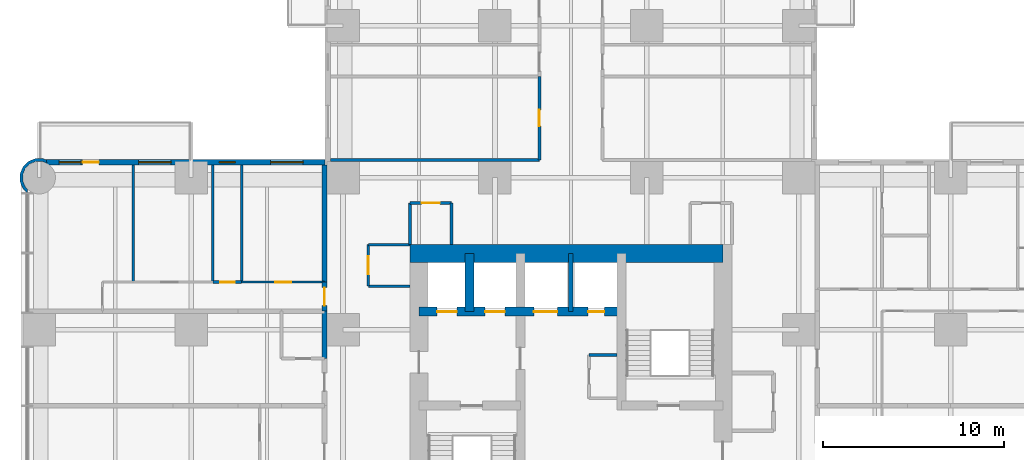
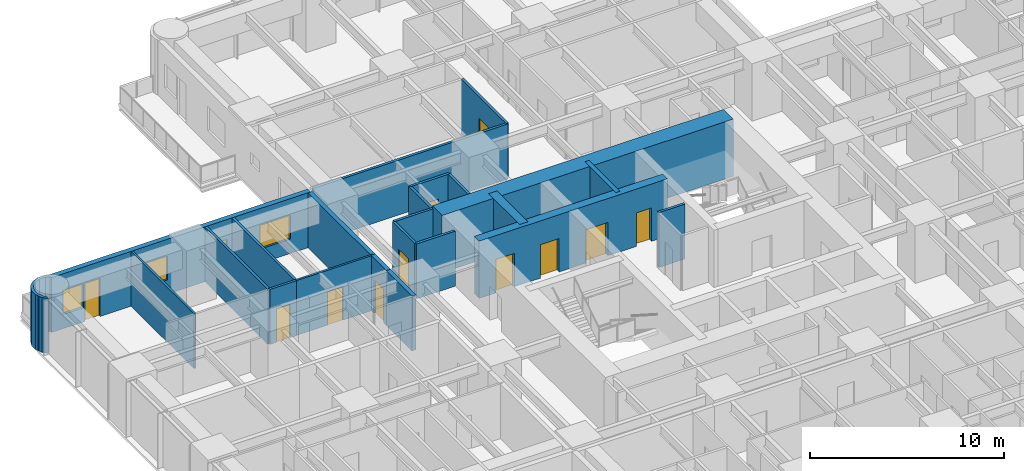
# One storey, part 12 of 17: 23 walls, 11 doors, 4 windows, 15 openings.
"""IFC4 building model written with IfcOpenShell, lengths in metres."""

from ifc_helpers import new_model, si_unit, direction, frame, frame_2d, origin, place, context, subcontext, project, spatial, polyline, rectangle, outline, extrude, material, layer, layer_set, type_object, element, fill, save


model = new_model("IFC4")

# Units and contexts
model_context = context("Model", 3, precision=1e-05, world=origin(), true_north=direction((0.0, 1.0)))
body_context = subcontext(model_context, "Body", "Model", "MODEL_VIEW")
ifc_project = project(units=[si_unit("LENGTHUNIT", "METRE"), si_unit("AREAUNIT", "SQUARE_METRE"), si_unit("VOLUMEUNIT", "CUBIC_METRE"), si_unit("PLANEANGLEUNIT", "RADIAN"), si_unit("MASSUNIT", "GRAM", prefix="KILO")], contexts=[model_context])

# Site, building, storey
site_placement = place(None, origin())
site = spatial("IfcSite", under=ifc_project, at=site_placement, CompositionType="ELEMENT")
building_placement = place(site_placement, origin())
building = spatial("IfcBuilding", under=site, at=building_placement, Name="Torre Alcanfor", CompositionType="ELEMENT")
storey_placement = place(building_placement, frame((0.0, 0.0, 38.10009765625)))
storey = spatial("IfcBuildingStorey", under=building, at=storey_placement, Name="L08", CompositionType="ELEMENT", Elevation=38.10009765625)

# Wall
ifc_material_1 = material(Name="Concrete block masonry, hollow blocks NMX-C-404 9 MPa", Category="masonry")
ifc_layer_1 = layer(ifc_material_1, 0.25)
ifc_layer_set_1 = layer_set([ifc_layer_1], Name="Apartment entrance wall 250 EI 60")
wall_type_1 = type_object("IfcWallType", Name="Apartment entrance wall 250 EI 60", PredefinedType="PARTITIONING", material=ifc_layer_set_1)
wall_1_placement = place(storey_placement, frame((15.77490234375, 32.0, 0.0), z_axis=(0.0, 0.0, 1.0), x_axis=(0.0, 1.0, 0.0)))
element("IfcWall", 1, at=wall_1_placement, inside=storey, type_object=wall_type_1, Name="Partition L08-CORR / L08-W2A-BATH", PredefinedType="PARTITIONING", context=body_context, shape_type="SweptSolid", body=[
    extrude(rectangle(XDim=2.62890625, YDim=0.25, at=frame_2d((1.314453125, 0.0))), origin(), (0.0, 0.0, 1.0), 3.449951171875),
])

# Wall, opening, door
wall_2_placement = place(storey_placement, frame((15.77490234375, 34.62890625, 0.0), z_axis=(0.0, 0.0, 1.0), x_axis=(0.0, 1.0, 0.0)))
wall_2 = element("IfcWall", 2, at=wall_2_placement, inside=storey, type_object=wall_type_1, Name="Partition L08-CORR / L08-W2B-HALL", PredefinedType="PARTITIONING", context=body_context, shape_type="SweptSolid", body=[
    extrude(rectangle(XDim=1.60009765625, YDim=0.25, at=frame_2d((0.800048828125, 0.0))), origin(), (0.0, 0.0, 1.0), 3.449951171875),
])
opening_1_placement = place(wall_2_placement, frame((0.300048828125, 0.0, 0.0)))
opening_1 = element("IfcOpeningElement", 3, at=opening_1_placement, cuts=wall_2, Name="Opening D-A1", PredefinedType="OPENING", context=body_context, shape_type="SweptSolid", body=[
    extrude(rectangle(XDim=1.0, YDim=2.10009765625, at=frame_2d((0.5, 1.050048828125))), frame((0.0, 0.135009765625, 0.0), z_axis=(0.0, -1.0, 0.0), x_axis=(1.0, 0.0, 0.0)), (0.0, 0.0, 1.0), 0.27001953125),
])
ifc_material_2 = material(Name="Galvanised steel sheet ASTM A653", Category="steel")
door_type_1 = type_object("IfcDoorType", Name="Apartment entrance door FD60 1000x2100", OperationType="SINGLE_SWING_LEFT", PredefinedType="DOOR", material=ifc_material_2)
door_1_placement = place(opening_1_placement, origin())
door_1 = element("IfcDoor", 4, at=door_1_placement, inside=storey, type_object=door_type_1, Name="Apartment entrance L08-W2B", OperationType="SINGLE_SWING_LEFT", OverallHeight=2.10009765625, OverallWidth=1.0, PredefinedType="DOOR", context=body_context, shape_type="SweptSolid", body=[
    extrude(rectangle(XDim=1.0, YDim=2.10009765625, at=frame_2d((0.5, 1.050048828125))), frame((0.0, 0.02490234375, 0.0), z_axis=(0.0, -1.0, 0.0), x_axis=(1.0, 0.0, 0.0)), (0.0, 0.0, 1.0), 0.050048828125),
])
fill(opening_1, door_1)

# Wall
wall_3_placement = place(storey_placement, frame((15.77490234375, 36.22900390625, 0.0), z_axis=(0.0, 0.0, 1.0), x_axis=(0.0, 1.0, 0.0)))
element("IfcWall", 5, at=wall_3_placement, inside=storey, type_object=wall_type_1, Name="Partition L08-CORR / L08-W2B-MASTER", PredefinedType="PARTITIONING", context=body_context, shape_type="SweptSolid", body=[
    extrude(rectangle(XDim=6.470947265625, YDim=0.25, at=frame_2d((3.2353515625, 0.0))), origin(), (0.0, 0.0, 1.0), 3.449951171875),
])

# Wall, opening, door
ifc_material_3 = material(Name="Gypsum board on steel studs", Category="steel")
ifc_layer_2 = layer(ifc_material_3, 0.1201171875)
ifc_layer_set_2 = layer_set([ifc_layer_2], Name="Apartment partition 120")
wall_type_2 = type_object("IfcWallType", Name="Apartment partition 120", PredefinedType="PARTITIONING", material=ifc_layer_set_2)
wall_4_placement = place(storey_placement, frame((11.199951171875, 36.22900390625, 0.0), z_axis=(0.0, 0.0, 1.0), x_axis=(1.0, 0.0, 0.0)))
wall_4 = element("IfcWall", 6, at=wall_4_placement, inside=storey, type_object=wall_type_2, Name="Partition L08-W2B-HALL / L08-W2B-MASTER", PredefinedType="PARTITIONING", context=body_context, shape_type="SweptSolid", body=[
    extrude(rectangle(XDim=4.574951171875, YDim=0.1201171875, at=frame_2d((2.28759765625, 0.0))), origin(), (0.0, 0.0, 1.0), 3.449951171875),
])
opening_2_placement = place(wall_4_placement, frame((1.85009765625, 0.0, 0.0)))
opening_2 = element("IfcOpeningElement", 7, at=opening_2_placement, cuts=wall_4, Name="Opening D-R1", PredefinedType="OPENING", context=body_context, shape_type="SweptSolid", body=[
    extrude(rectangle(XDim=0.89990234375, YDim=2.10009765625, at=frame_2d((0.449951171875, 1.050048828125))), frame((0.0, 0.070068359375, 0.0), z_axis=(0.0, -1.0, 0.0), x_axis=(1.0, 0.0, 0.0)), (0.0, 0.0, 1.0), 0.14013671875),
])
ifc_material_4 = material(Name="Timber", Category="wood")
door_type_2 = type_object("IfcDoorType", Name="Internal door 900x2100", OperationType="SINGLE_SWING_LEFT", PredefinedType="DOOR", material=ifc_material_4)
door_2_placement = place(opening_2_placement, origin())
door_2 = element("IfcDoor", 8, at=door_2_placement, inside=storey, type_object=door_type_2, Name="Door L08-W2B master", OperationType="SINGLE_SWING_RIGHT", OverallHeight=2.10009765625, OverallWidth=0.89990234375, PredefinedType="DOOR", context=body_context, shape_type="SweptSolid", body=[
    extrude(rectangle(XDim=0.89990234375, YDim=2.10009765625, at=frame_2d((0.449951171875, 1.050048828125))), frame((0.0, 0.02490234375, 0.0), z_axis=(0.0, -1.0, 0.0), x_axis=(1.0, 0.0, 0.0)), (0.0, 0.0, 1.0), 0.050048828125),
])
fill(opening_2, door_2)

# Wall
wall_5_placement = place(storey_placement, frame((5.199951171875, 36.22900390625, 0.0), z_axis=(0.0, 0.0, 1.0), x_axis=(0.0, 1.0, 0.0)))
element("IfcWall", 9, at=wall_5_placement, inside=storey, type_object=wall_type_2, Name="Partition L08-W2B-STUDY / L08-W2B-KITCHEN", PredefinedType="PARTITIONING", context=body_context, shape_type="SweptSolid", body=[
    extrude(rectangle(XDim=6.470947265625, YDim=0.1201171875, at=frame_2d((3.2353515625, 0.0))), origin(), (0.0, 0.0, 1.0), 3.449951171875),
])

# Wall, openings, doors
ifc_material_5 = material(Name="Concrete f'c 70 MPa", Category="concrete")
ifc_layer_3 = layer(ifc_material_5, 0.5)
ifc_layer_set_3 = layer_set([ifc_layer_3], Name="Core inner wall 500 f'c70")
wall_type_3 = type_object("IfcWallType", Name="Core inner wall 500 f'c70", PredefinedType="SHEAR", material=ifc_layer_set_3)
wall_6_placement = place(storey_placement, frame((21.0, 34.60009765625, 0.0), z_axis=(0.0, 0.0, 1.0), x_axis=(1.0, 0.0, 0.0)))
wall_6 = element("IfcWall", 10, at=wall_6_placement, inside=storey, type_object=wall_type_3, Name="Core wall Y346 L08", PredefinedType="SHEAR", context=body_context, shape_type="SweptSolid", body=[
    extrude(rectangle(XDim=11.199951171875, YDim=0.5, at=frame_2d((5.60009765625, 0.0))), origin(), (0.0, 0.0, 1.0), 3.599853515625),
])
opening_3_placement = place(wall_6_placement, frame((9.35009765625, 0.0, 0.0)))
opening_3 = element("IfcOpeningElement", 11, at=opening_3_placement, cuts=wall_6, Name="Opening D-Q1", PredefinedType="OPENING", context=body_context, shape_type="SweptSolid", body=[
    extrude(rectangle(XDim=0.89990234375, YDim=2.10009765625, at=frame_2d((0.449951171875, 1.050048828125))), frame((0.0, 0.260009765625, 0.0), z_axis=(0.0, -1.0, 0.0), x_axis=(1.0, 0.0, 0.0)), (0.0, 0.0, 1.0), 0.52001953125),
])
opening_4_placement = place(wall_6_placement, frame((1.0, 0.0, 0.0)))
opening_4 = element("IfcOpeningElement", 12, at=opening_4_placement, cuts=wall_6, Name="Opening LD2", PredefinedType="OPENING", context=body_context, shape_type="SweptSolid", body=[
    extrude(rectangle(XDim=1.10009765625, YDim=2.10009765625, at=frame_2d((0.550048828125, 1.050048828125))), frame((0.0, 0.260009765625, 0.0), z_axis=(0.0, -1.0, 0.0), x_axis=(1.0, 0.0, 0.0)), (0.0, 0.0, 1.0), 0.52001953125),
])
opening_5_placement = place(wall_6_placement, frame((3.64990234375, 0.0, 0.0)))
opening_5 = element("IfcOpeningElement", 13, at=opening_5_placement, cuts=wall_6, Name="Opening LD2", PredefinedType="OPENING", context=body_context, shape_type="SweptSolid", body=[
    extrude(rectangle(XDim=1.10009765625, YDim=2.10009765625, at=frame_2d((0.550048828125, 1.050048828125))), frame((0.0, 0.260009765625, 0.0), z_axis=(0.0, -1.0, 0.0), x_axis=(1.0, 0.0, 0.0)), (0.0, 0.0, 1.0), 0.52001953125),
])
opening_6_placement = place(wall_6_placement, frame((6.35009765625, 0.0, 0.0)))
opening_6 = element("IfcOpeningElement", 14, at=opening_6_placement, cuts=wall_6, Name="Opening LD3", PredefinedType="OPENING", context=body_context, shape_type="SweptSolid", body=[
    extrude(rectangle(XDim=1.300048828125, YDim=2.10009765625, at=frame_2d((0.64990234375, 1.050048828125))), frame((0.0, 0.260009765625, 0.0), z_axis=(0.0, -1.0, 0.0), x_axis=(1.0, 0.0, 0.0)), (0.0, 0.0, 1.0), 0.52001953125),
])
ifc_material_6 = material(Name="Galvanised steel sheet ASTM A653", Category="steel")
door_type_3 = type_object("IfcDoorType", Name="Firefighting lift landing door 1100x2100", OperationType="DOUBLE_DOOR_SLIDING", PredefinedType="DOOR", material=ifc_material_6)
door_3_placement = place(opening_4_placement, origin())
door_3 = element("IfcDoor", 15, at=door_3_placement, inside=storey, type_object=door_type_3, Name="Lift landing door FL1 L08", OperationType="DOUBLE_DOOR_SLIDING", OverallHeight=2.10009765625, OverallWidth=1.10009765625, PredefinedType="DOOR", context=body_context, shape_type="SweptSolid", body=[
    extrude(rectangle(XDim=1.10009765625, YDim=2.10009765625, at=frame_2d((0.550048828125, 1.050048828125))), frame((0.0, 0.02490234375, 0.0), z_axis=(0.0, -1.0, 0.0), x_axis=(1.0, 0.0, 0.0)), (0.0, 0.0, 1.0), 0.050048828125),
])
fill(opening_4, door_3)
door_4_placement = place(opening_5_placement, origin())
door_4 = element("IfcDoor", 16, at=door_4_placement, inside=storey, type_object=door_type_3, Name="Lift landing door FL2 L08", OperationType="DOUBLE_DOOR_SLIDING", OverallHeight=2.10009765625, OverallWidth=1.10009765625, PredefinedType="DOOR", context=body_context, shape_type="SweptSolid", body=[
    extrude(rectangle(XDim=1.10009765625, YDim=2.10009765625, at=frame_2d((0.550048828125, 1.050048828125))), frame((0.0, 0.02490234375, 0.0), z_axis=(0.0, -1.0, 0.0), x_axis=(1.0, 0.0, 0.0)), (0.0, 0.0, 1.0), 0.050048828125),
])
fill(opening_5, door_4)
ifc_material_7 = material(Name="Galvanised steel sheet ASTM A653", Category="steel")
door_type_4 = type_object("IfcDoorType", Name="Riser access door FD120 900x2100", OperationType="SINGLE_SWING_LEFT", PredefinedType="DOOR", material=ifc_material_7)
door_5_placement = place(opening_3_placement, origin())
door_5 = element("IfcDoor", 17, at=door_5_placement, inside=storey, type_object=door_type_4, Name="Riser door L08", OperationType="SINGLE_SWING_LEFT", OverallHeight=2.10009765625, OverallWidth=0.89990234375, PredefinedType="DOOR", context=body_context, shape_type="SweptSolid", body=[
    extrude(rectangle(XDim=0.89990234375, YDim=2.10009765625, at=frame_2d((0.449951171875, 1.050048828125))), frame((0.0, 0.02490234375, 0.0), z_axis=(0.0, -1.0, 0.0), x_axis=(1.0, 0.0, 0.0)), (0.0, 0.0, 1.0), 0.050048828125),
])
fill(opening_3, door_5)
ifc_material_8 = material(Name="Galvanised steel sheet ASTM A653", Category="steel")
door_type_5 = type_object("IfcDoorType", Name="Service lift landing door 1300x2100", OperationType="DOUBLE_DOOR_SLIDING", PredefinedType="DOOR", material=ifc_material_8)
door_6_placement = place(opening_6_placement, origin())
door_6 = element("IfcDoor", 18, at=door_6_placement, inside=storey, type_object=door_type_5, Name="Lift landing door SL1 L08", OperationType="DOUBLE_DOOR_SLIDING", OverallHeight=2.10009765625, OverallWidth=1.300048828125, PredefinedType="DOOR", context=body_context, shape_type="SweptSolid", body=[
    extrude(rectangle(XDim=1.300048828125, YDim=2.10009765625, at=frame_2d((0.64990234375, 1.050048828125))), frame((0.0, 0.02490234375, 0.0), z_axis=(0.0, -1.0, 0.0), x_axis=(1.0, 0.0, 0.0)), (0.0, 0.0, 1.0), 0.050048828125),
])
fill(opening_6, door_6)

# Walls
wall_7_placement = place(storey_placement, frame((23.800048828125, 34.60009765625, 0.0), z_axis=(0.0, 0.0, 1.0), x_axis=(0.0, 1.0, 0.0)))
element("IfcWall", 19, at=wall_7_placement, inside=storey, type_object=wall_type_3, Name="Core wall X238 L08", PredefinedType="SHEAR", context=body_context, shape_type="SweptSolid", body=[
    extrude(rectangle(XDim=3.199951171875, YDim=0.5, at=frame_2d((1.60009765625, 0.0))), origin(), (0.0, 0.0, 1.0), 3.599853515625),
])
ifc_material_9 = material(Name="Concrete f'c 70 MPa", Category="concrete")
ifc_layer_4 = layer(ifc_material_9, 0.25)
ifc_layer_set_4 = layer_set([ifc_layer_4], Name="Core shaft wall 250 f'c70")
wall_type_4 = type_object("IfcWallType", Name="Core shaft wall 250 f'c70", PredefinedType="SHEAR", material=ifc_layer_set_4)
wall_8_placement = place(storey_placement, frame((29.39990234375, 34.60009765625, 0.0), z_axis=(0.0, 0.0, 1.0), x_axis=(0.0, 1.0, 0.0)))
element("IfcWall", 20, at=wall_8_placement, inside=storey, type_object=wall_type_4, Name="Core wall X294N L08", PredefinedType="SHEAR", context=body_context, shape_type="SweptSolid", body=[
    extrude(rectangle(XDim=3.199951171875, YDim=0.25, at=frame_2d((1.60009765625, 0.0))), origin(), (0.0, 0.0, 1.0), 3.599853515625),
])
ifc_material_10 = material(Name="Concrete f'c 70 MPa", Category="concrete")
ifc_layer_5 = layer(ifc_material_10, 1.0)
ifc_layer_set_5 = layer_set([ifc_layer_5], Name="Core wall 1000 f'c70")
wall_type_5 = type_object("IfcWallType", Name="Core wall 1000 f'c70", PredefinedType="SHEAR", material=ifc_layer_set_5)
wall_9_placement = place(storey_placement, frame((37.800048828125, 37.800048828125, 0.0), z_axis=(0.0, 0.0, 1.0), x_axis=(-1.0, 0.0, 0.0)))
element("IfcWall", 21, at=wall_9_placement, inside=storey, type_object=wall_type_5, Name="Core wall OUT-N L08", PredefinedType="SHEAR", context=body_context, shape_type="SweptSolid", body=[
    extrude(rectangle(XDim=17.300048828125, YDim=1.0, at=frame_2d((8.64990234375, 0.0))), origin(), (0.0, 0.0, 1.0), 3.599853515625),
])

# Wall, openings, door, windows
ifc_material_11 = material(Name="Limestone cladding", Category="masonry")
ifc_layer_6 = layer(ifc_material_11, 0.0400390625, Name="Facing")
ifc_material_12 = material(Name="Ventilated air cavity")
ifc_layer_7 = layer(ifc_material_12, 0.02001953125, ventilated=True, Name="Ventilated joint")
ifc_material_13 = material(Name="Mineral wool insulation", Category="insulation")
ifc_layer_8 = layer(ifc_material_13, 0.10009765625, Name="Insulation")
ifc_material_14 = material(Name="Concrete f'c 35 MPa", Category="concrete")
ifc_layer_9 = layer(ifc_material_14, 0.139892578125, Name="Backing")
ifc_layer_set_6 = layer_set([ifc_layer_6, ifc_layer_7, ifc_layer_8, ifc_layer_9], Name="External wall stone-clad 300")
wall_type_6 = type_object("IfcWallType", Name="External wall stone-clad 300", PredefinedType="SOLIDWALL", material=ifc_layer_set_6)
wall_10_placement = place(storey_placement, frame((15.800048828125, 42.85009765625, 0.0), z_axis=(0.0, 0.0, 1.0), x_axis=(-1.0, 0.0, 0.0)))
wall_10 = element("IfcWall", 22, at=wall_10_placement, inside=storey, type_object=wall_type_6, Name="External wall L08 1", PredefinedType="SOLIDWALL", context=body_context, shape_type="SweptSolid", body=[
    extrude(rectangle(XDim=15.400146484375, YDim=0.300048828125, at=frame_2d((7.7001953125, 0.0))), origin(), (0.0, 0.0, 1.0), 3.449951171875),
])
opening_7_placement = place(wall_10_placement, frame((1.199951171875, 0.0, 0.89990234375)))
opening_7 = element("IfcOpeningElement", 23, at=opening_7_placement, cuts=wall_10, Name="Opening W2", PredefinedType="OPENING", context=body_context, shape_type="SweptSolid", body=[
    extrude(rectangle(XDim=1.800048828125, YDim=1.5, at=frame_2d((0.89990234375, 0.75))), frame((0.0, 0.159912109375, 0.0), z_axis=(0.0, -1.0, 0.0), x_axis=(1.0, 0.0, 0.0)), (0.0, 0.0, 1.0), 0.320068359375),
])
opening_8_placement = place(wall_10_placement, frame((4.949951171875, 0.0, 1.5)))
opening_8 = element("IfcOpeningElement", 24, at=opening_8_placement, cuts=wall_10, Name="Opening W3", PredefinedType="OPENING", context=body_context, shape_type="SweptSolid", body=[
    extrude(rectangle(XDim=0.89990234375, YDim=0.699951171875, at=frame_2d((0.449951171875, 0.35009765625))), frame((0.0, 0.159912109375, 0.0), z_axis=(0.0, -1.0, 0.0), x_axis=(1.0, 0.0, 0.0)), (0.0, 0.0, 1.0), 0.320068359375),
])
opening_9_placement = place(wall_10_placement, frame((8.5, 0.0, 0.89990234375)))
opening_9 = element("IfcOpeningElement", 25, at=opening_9_placement, cuts=wall_10, Name="Opening W2", PredefinedType="OPENING", context=body_context, shape_type="SweptSolid", body=[
    extrude(rectangle(XDim=1.800048828125, YDim=1.5, at=frame_2d((0.89990234375, 0.75))), frame((0.0, 0.159912109375, 0.0), z_axis=(0.0, -1.0, 0.0), x_axis=(1.0, 0.0, 0.0)), (0.0, 0.0, 1.0), 0.320068359375),
])
opening_10_placement = place(wall_10_placement, frame((12.5, 0.0, 0.0)))
opening_10 = element("IfcOpeningElement", 26, at=opening_10_placement, cuts=wall_10, Name="Opening D-B1", PredefinedType="OPENING", context=body_context, shape_type="SweptSolid", body=[
    extrude(rectangle(XDim=0.89990234375, YDim=2.39990234375, at=frame_2d((0.449951171875, 1.199951171875))), frame((0.0, 0.159912109375, 0.0), z_axis=(0.0, -1.0, 0.0), x_axis=(1.0, 0.0, 0.0)), (0.0, 0.0, 1.0), 0.320068359375),
])
opening_11_placement = place(wall_10_placement, frame((13.5, 0.0, 0.89990234375)))
opening_11 = element("IfcOpeningElement", 27, at=opening_11_placement, cuts=wall_10, Name="Opening W4", PredefinedType="OPENING", context=body_context, shape_type="SweptSolid", body=[
    extrude(rectangle(XDim=1.199951171875, YDim=1.5, at=frame_2d((0.60009765625, 0.75))), frame((0.0, 0.159912109375, 0.0), z_axis=(0.0, -1.0, 0.0), x_axis=(1.0, 0.0, 0.0)), (0.0, 0.0, 1.0), 0.320068359375),
])
ifc_material_15 = material(Name="Aluminium and glass", Category="aluminium")
door_type_6 = type_object("IfcDoorType", Name="Balcony door glazed 900x2400", OperationType="SINGLE_SWING_LEFT", PredefinedType="DOOR", material=ifc_material_15)
door_7_placement = place(opening_10_placement, origin())
door_7 = element("IfcDoor", 28, at=door_7_placement, inside=storey, type_object=door_type_6, Name="Balcony door L08-W2", OperationType="SINGLE_SWING_LEFT", OverallHeight=2.39990234375, OverallWidth=0.89990234375, PredefinedType="DOOR", context=body_context, shape_type="SweptSolid", body=[
    extrude(rectangle(XDim=0.89990234375, YDim=2.39990234375, at=frame_2d((0.449951171875, 1.199951171875))), frame((0.0, 0.02490234375, 0.0), z_axis=(0.0, -1.0, 0.0), x_axis=(1.0, 0.0, 0.0)), (0.0, 0.0, 1.0), 0.050048828125),
])
fill(opening_10, door_7)
ifc_material_16 = material(Name="Aluminium frame with clear double glazing", Category="aluminium")
window_type_1 = type_object("IfcWindowType", Name="Window bathroom 900x700", PartitioningType="SINGLE_PANEL", PredefinedType="WINDOW", material=ifc_material_16)
window_1_placement = place(opening_8_placement, origin())
window_1 = element("IfcWindow", 29, at=window_1_placement, inside=storey, type_object=window_type_1, Name="Window W3 L08-W2", OverallHeight=0.699951171875, OverallWidth=0.89990234375, PartitioningType="SINGLE_PANEL", PredefinedType="WINDOW", context=body_context, shape_type="SweptSolid", body=[
    extrude(rectangle(XDim=0.89990234375, YDim=0.699951171875, at=frame_2d((0.449951171875, 0.35009765625))), frame((0.0, 0.030029296875, 0.0), z_axis=(0.0, -1.0, 0.0), x_axis=(1.0, 0.0, 0.0)), (0.0, 0.0, 1.0), 0.06005859375),
])
fill(opening_8, window_1)
ifc_material_17 = material(Name="Aluminium frame with clear double glazing", Category="aluminium")
window_type_2 = type_object("IfcWindowType", Name="Window bedroom 1200x1500", PartitioningType="SINGLE_PANEL", PredefinedType="WINDOW", material=ifc_material_17)
window_2_placement = place(opening_11_placement, origin())
window_2 = element("IfcWindow", 30, at=window_2_placement, inside=storey, type_object=window_type_2, Name="Window W4 L08-W2", OverallHeight=1.5, OverallWidth=1.199951171875, PartitioningType="SINGLE_PANEL", PredefinedType="WINDOW", context=body_context, shape_type="SweptSolid", body=[
    extrude(rectangle(XDim=1.199951171875, YDim=1.5, at=frame_2d((0.60009765625, 0.75))), frame((0.0, 0.030029296875, 0.0), z_axis=(0.0, -1.0, 0.0), x_axis=(1.0, 0.0, 0.0)), (0.0, 0.0, 1.0), 0.06005859375),
])
fill(opening_11, window_2)
ifc_material_18 = material(Name="Aluminium frame with clear double glazing", Category="aluminium")
window_type_3 = type_object("IfcWindowType", Name="Window bedroom 1800x1500", PartitioningType="SINGLE_PANEL", PredefinedType="WINDOW", material=ifc_material_18)
window_3_placement = place(opening_7_placement, origin())
window_3 = element("IfcWindow", 31, at=window_3_placement, inside=storey, type_object=window_type_3, Name="Window W2 L08-W2", OverallHeight=1.5, OverallWidth=1.800048828125, PartitioningType="SINGLE_PANEL", PredefinedType="WINDOW", context=body_context, shape_type="SweptSolid", body=[
    extrude(rectangle(XDim=1.800048828125, YDim=1.5, at=frame_2d((0.89990234375, 0.75))), frame((0.0, 0.030029296875, 0.0), z_axis=(0.0, -1.0, 0.0), x_axis=(1.0, 0.0, 0.0)), (0.0, 0.0, 1.0), 0.06005859375),
])
fill(opening_7, window_3)
window_4_placement = place(opening_9_placement, origin())
window_4 = element("IfcWindow", 32, at=window_4_placement, inside=storey, type_object=window_type_3, Name="Window W2 L08-W2", OverallHeight=1.5, OverallWidth=1.800048828125, PartitioningType="SINGLE_PANEL", PredefinedType="WINDOW", context=body_context, shape_type="SweptSolid", body=[
    extrude(rectangle(XDim=1.800048828125, YDim=1.5, at=frame_2d((0.89990234375, 0.75))), frame((0.0, 0.030029296875, 0.0), z_axis=(0.0, -1.0, 0.0), x_axis=(1.0, 0.0, 0.0)), (0.0, 0.0, 1.0), 0.06005859375),
])
fill(opening_9, window_4)

# Wall
ifc_material_19 = material(Name="Concrete block masonry, hollow blocks NMX-C-404 9 MPa", Category="masonry")
ifc_layer_10 = layer(ifc_material_19, 0.14990234375)
ifc_layer_set_7 = layer_set([ifc_layer_10], Name="Residents' room partition 150")
wall_type_7 = type_object("IfcWallType", Name="Residents' room partition 150", PredefinedType="PARTITIONING", material=ifc_layer_set_7)
wall_11_placement = place(storey_placement, frame((22.800048828125, 38.300048828125, 0.0), z_axis=(0.0, 0.0, 1.0), x_axis=(0.0, 1.0, 0.0)))
element("IfcWall", 33, at=wall_11_placement, inside=storey, type_object=wall_type_7, Name="Partition L08-CORR / L08-G01", PredefinedType="PARTITIONING", context=body_context, shape_type="SweptSolid", body=[
    extrude(rectangle(XDim=2.300048828125, YDim=0.14990234375, at=frame_2d((1.14990234375, 0.0))), origin(), (0.0, 0.0, 1.0), 3.449951171875),
])

# Wall, opening, door
wall_12_placement = place(storey_placement, frame((22.800048828125, 40.60009765625, 0.0), z_axis=(0.0, 0.0, 1.0), x_axis=(-1.0, 0.0, 0.0)))
wall_12 = element("IfcWall", 34, at=wall_12_placement, inside=storey, type_object=wall_type_7, Name="Partition L08-CORR / L08-G01", PredefinedType="PARTITIONING", context=body_context, shape_type="SweptSolid", body=[
    extrude(rectangle(XDim=2.300048828125, YDim=0.14990234375, at=frame_2d((1.14990234375, 0.0))), origin(), (0.0, 0.0, 1.0), 3.449951171875),
])
opening_12_placement = place(wall_12_placement, frame((0.64990234375, 0.0, 0.0)))
opening_12 = element("IfcOpeningElement", 35, at=opening_12_placement, cuts=wall_12, Name="Opening D-M1", PredefinedType="OPENING", context=body_context, shape_type="SweptSolid", body=[
    extrude(rectangle(XDim=1.0, YDim=2.10009765625, at=frame_2d((0.5, 1.050048828125))), frame((0.0, 0.0849609375, 0.0), z_axis=(0.0, -1.0, 0.0), x_axis=(1.0, 0.0, 0.0)), (0.0, 0.0, 1.0), 0.169921875),
])
ifc_material_20 = material(Name="Timber", Category="wood")
door_type_7 = type_object("IfcDoorType", Name="Residents' room door 1000x2100", OperationType="SINGLE_SWING_LEFT", PredefinedType="DOOR", material=ifc_material_20)
door_8_placement = place(opening_12_placement, origin())
door_8 = element("IfcDoor", 36, at=door_8_placement, inside=storey, type_object=door_type_7, Name="Door L08-G01 parcel room", OperationType="SINGLE_SWING_LEFT", OverallHeight=2.10009765625, OverallWidth=1.0, PredefinedType="DOOR", context=body_context, shape_type="SweptSolid", body=[
    extrude(rectangle(XDim=1.0, YDim=2.10009765625, at=frame_2d((0.5, 1.050048828125))), frame((0.0, 0.02490234375, 0.0), z_axis=(0.0, -1.0, 0.0), x_axis=(1.0, 0.0, 0.0)), (0.0, 0.0, 1.0), 0.050048828125),
])
fill(opening_12, door_8)

# Walls
for number, where, z_axis, x_axis, name in (
    (37, (20.5, 40.60009765625, 0.0), (0.0, 0.0, 1.0), (0.0, -1.0, 0.0), "Partition L08-CORR / L08-G01"),
    (38, (20.5, 38.300048828125, 0.0), (0.0, 0.0, 1.0), (-1.0, 0.0, 0.0), "Partition L08-CORR / L08-G05"),
):
    element("IfcWall", number, at=place(storey_placement, frame(where, z_axis=z_axis, x_axis=x_axis)), inside=storey, type_object=wall_type_7, Name=name, PredefinedType="PARTITIONING", context=body_context, shape_type="SweptSolid", body=[
        extrude(rectangle(XDim=2.300048828125, YDim=0.14990234375, at=frame_2d((1.14990234375, 0.0))), origin(), (0.0, 0.0, 1.0), 3.449951171875),
    ])

# Wall, opening, door
wall_13_placement = place(storey_placement, frame((18.199951171875, 38.300048828125, 0.0), z_axis=(0.0, 0.0, 1.0), x_axis=(0.0, -1.0, 0.0)))
wall_13 = element("IfcWall", 39, at=wall_13_placement, inside=storey, type_object=wall_type_7, Name="Partition L08-CORR / L08-G05", PredefinedType="PARTITIONING", context=body_context, shape_type="SweptSolid", body=[
    extrude(rectangle(XDim=2.300048828125, YDim=0.14990234375, at=frame_2d((1.14990234375, 0.0))), origin(), (0.0, 0.0, 1.0), 3.449951171875),
])
opening_13_placement = place(wall_13_placement, frame((0.64990234375, 0.0, 0.0)))
opening_13 = element("IfcOpeningElement", 40, at=opening_13_placement, cuts=wall_13, Name="Opening D-M1", PredefinedType="OPENING", context=body_context, shape_type="SweptSolid", body=[
    extrude(rectangle(XDim=1.0, YDim=2.10009765625, at=frame_2d((0.5, 1.050048828125))), frame((0.0, 0.0849609375, 0.0), z_axis=(0.0, -1.0, 0.0), x_axis=(1.0, 0.0, 0.0)), (0.0, 0.0, 1.0), 0.169921875),
])
door_9_placement = place(opening_13_placement, origin())
door_9 = element("IfcDoor", 41, at=door_9_placement, inside=storey, type_object=door_type_7, Name="Door L08-G05 pram and buggy store", OperationType="SINGLE_SWING_LEFT", OverallHeight=2.10009765625, OverallWidth=1.0, PredefinedType="DOOR", context=body_context, shape_type="SweptSolid", body=[
    extrude(rectangle(XDim=1.0, YDim=2.10009765625, at=frame_2d((0.5, 1.050048828125))), frame((0.0, 0.02490234375, 0.0), z_axis=(0.0, -1.0, 0.0), x_axis=(1.0, 0.0, 0.0)), (0.0, 0.0, 1.0), 0.050048828125),
])
fill(opening_13, door_9)

# Walls
wall_14_placement = place(storey_placement, frame((18.199951171875, 36.0, 0.0), z_axis=(0.0, 0.0, 1.0), x_axis=(1.0, 0.0, 0.0)))
element("IfcWall", 42, at=wall_14_placement, inside=storey, type_object=wall_type_7, Name="Partition L08-CORR / L08-G05", PredefinedType="PARTITIONING", context=body_context, shape_type="SweptSolid", body=[
    extrude(rectangle(XDim=2.300048828125, YDim=0.14990234375, at=frame_2d((1.14990234375, 0.0))), origin(), (0.0, 0.0, 1.0), 3.449951171875),
])
wall_15_placement = place(storey_placement, frame((16.10009765625, 42.97509765625, 0.0), z_axis=(0.0, 0.0, 1.0), x_axis=(1.0, 0.0, 0.0)))
element("IfcWall", 43, at=wall_15_placement, inside=storey, type_object=wall_type_7, Name="Partition L08-CORR / L08-N-WC", PredefinedType="PARTITIONING", context=body_context, shape_type="SweptSolid", body=[
    extrude(rectangle(XDim=11.556884765625, YDim=0.14990234375, at=frame_2d((5.7783203125, 0.0))), origin(), (0.0, 0.0, 1.0), 3.449951171875),
])

# Wall, opening, door
wall_16_placement = place(storey_placement, frame((27.656982421875, 47.60009765625, 0.0), z_axis=(0.0, 0.0, 1.0), x_axis=(0.0, -1.0, 0.0)))
wall_16 = element("IfcWall", 44, at=wall_16_placement, inside=storey, type_object=wall_type_7, Name="Partition L08-N-ACORR / L08-N-WC", PredefinedType="PARTITIONING", context=body_context, shape_type="SweptSolid", body=[
    extrude(rectangle(XDim=4.625, YDim=0.14990234375, at=frame_2d((2.3125, 0.0))), origin(), (0.0, 0.0, 1.0), 3.449951171875),
])
opening_14_placement = place(wall_16_placement, frame((1.85009765625, 0.0, 0.0)))
opening_14 = element("IfcOpeningElement", 45, at=opening_14_placement, cuts=wall_16, Name="Opening D-W1", PredefinedType="OPENING", context=body_context, shape_type="SweptSolid", body=[
    extrude(rectangle(XDim=0.89990234375, YDim=2.10009765625, at=frame_2d((0.449951171875, 1.050048828125))), frame((0.0, 0.0849609375, 0.0), z_axis=(0.0, -1.0, 0.0), x_axis=(1.0, 0.0, 0.0)), (0.0, 0.0, 1.0), 0.169921875),
])
ifc_material_21 = material(Name="Timber", Category="wood")
door_type_8 = type_object("IfcDoorType", Name="Toilet door 900x2100", OperationType="SINGLE_SWING_LEFT", PredefinedType="DOOR", material=ifc_material_21)
door_10_placement = place(opening_14_placement, frame((0.89990234375, 0.0, 0.0), z_axis=(0.0, 0.0, 1.0), x_axis=(-1.0, 0.0, 0.0)))
door_10 = element("IfcDoor", 46, at=door_10_placement, inside=storey, type_object=door_type_8, Name="Door L08 N wc", OperationType="SINGLE_SWING_RIGHT", OverallHeight=2.10009765625, OverallWidth=0.89990234375, PredefinedType="DOOR", context=body_context, shape_type="SweptSolid", body=[
    extrude(rectangle(XDim=0.89990234375, YDim=2.10009765625, at=frame_2d((0.449951171875, 1.050048828125))), frame((0.0, 0.025146484375, 0.0), z_axis=(0.0, -1.0, 0.0), x_axis=(1.0, 0.0, 0.0)), (0.0, 0.0, 1.0), 0.050048828125),
])
fill(opening_14, door_10)

# Walls
wall_17_placement = place(storey_placement, frame((30.39990234375, 32.199951171875, 0.0), z_axis=(0.0, 0.0, 1.0), x_axis=(1.0, 0.0, 0.0)))
element("IfcWall", 47, at=wall_17_placement, inside=storey, type_object=wall_type_7, Name="Partition L08-LL / L08-CR1", PredefinedType="PARTITIONING", context=body_context, shape_type="SweptSolid", body=[
    extrude(rectangle(XDim=1.550048828125, YDim=0.14990234375, at=frame_2d((0.77490234375, 0.0))), origin(), (0.0, 0.0, 1.0), 3.449951171875),
])
ifc_layer_11 = layer(ifc_material_11, 0.0400390625, Name="Facing")
ifc_layer_12 = layer(ifc_material_12, 0.02001953125, ventilated=True, Name="Ventilated joint")
ifc_layer_13 = layer(ifc_material_13, 0.10009765625, Name="Insulation")
ifc_layer_14 = layer(ifc_material_14, 0.139892578125, Name="Backing")
ifc_layer_set_8 = layer_set([ifc_layer_11, ifc_layer_12, ifc_layer_13, ifc_layer_14], Name="Rounded corner pier stone-clad 300")
wall_type_8 = type_object("IfcWallType", Name="Rounded corner pier stone-clad 300", PredefinedType="SOLIDWALL", material=ifc_layer_set_8)
wall_18_placement = place(storey_placement, frame((0.363962863, 42.909907157, 0.0), z_axis=(0.0, 0.0, 1.0), x_axis=(-0.926129809145, 0.377204953059, 0.0)))
element("IfcWall", 48, at=wall_18_placement, inside=storey, type_object=wall_type_8, Name="Corner pier L08 13", PredefinedType="SOLIDWALL", context=body_context, shape_type="SweptSolid", body=[
    extrude(outline(polyline([(0.36027248147905344, 1.8032799323574271), (0.5087783723473315, 1.740921099842025), (0.7605913470133172, 1.4857584601095954), (0.8957810128069955, 1.1538349835897281), (0.8939031559639274, 0.7953461823991875), (0.7547957339381889, 0.4650577343600455), (0.4996330942057594, 0.21324475969405968), (0.1677096176858921, 0.07805509390038129), (-0.09992182078970525, 0.07950523369113624), (0.0006988421670046999, -0.09699421764222865), (0.0300177129428464, -0.08030783699434613), (0.19858532179107968, -0.08124570553990346), (0.5888441232034033, 0.0777034519259609), (0.8888369702307105, 0.374136779300854), (1.052603126025944, 0.7629734686109036), (1.0550818122472803, 1.1847106876949156), (0.8961326547814159, 1.5749694891072394), (0.7776866026168303, 1.6949130219751851), (0.7691400347446393, 1.7275471706587737), (0.7502646662372825, 1.7227591424871238), (0.599699327406523, 1.8749623361345464), (0.2945484394782597, 2.0034825844222954), (0.2809820848521072, 1.9979571212427172), (0.36027248147905344, 1.8032799323574271)])), origin(), (0.0, 0.0, 1.0), 3.449951171875),
])

# Wall, opening, door
ifc_material_22 = material(Name="Cement board on steel studs", Category="steel")
ifc_layer_15 = layer(ifc_material_22, 0.14990234375)
ifc_layer_set_9 = layer_set([ifc_layer_15], Name="Wet area partition 150")
wall_type_9 = type_object("IfcWallType", Name="Wet area partition 150", PredefinedType="PARTITIONING", material=ifc_layer_set_9)
wall_19_placement = place(storey_placement, frame((9.60009765625, 36.22900390625, 0.0), z_axis=(0.0, 0.0, 1.0), x_axis=(1.0, 0.0, 0.0)))
wall_19 = element("IfcWall", 49, at=wall_19_placement, inside=storey, type_object=wall_type_9, Name="Partition L08-W2B-HALL / L08-W2B-BATH", PredefinedType="PARTITIONING", context=body_context, shape_type="SweptSolid", body=[
    extrude(rectangle(XDim=1.599853515625, YDim=0.14990234375, at=frame_2d((0.7998046875, 0.0))), origin(), (0.0, 0.0, 1.0), 3.449951171875),
])
opening_15_placement = place(wall_19_placement, frame((0.39990234375, 0.0, 0.0)))
opening_15 = element("IfcOpeningElement", 50, at=opening_15_placement, cuts=wall_19, Name="Opening D-R2", PredefinedType="OPENING", context=body_context, shape_type="SweptSolid", body=[
    extrude(rectangle(XDim=0.800048828125, YDim=2.10009765625, at=frame_2d((0.39990234375, 1.050048828125))), frame((0.0, 0.0849609375, 0.0), z_axis=(0.0, -1.0, 0.0), x_axis=(1.0, 0.0, 0.0)), (0.0, 0.0, 1.0), 0.169921875),
])
ifc_material_23 = material(Name="Timber", Category="wood")
door_type_9 = type_object("IfcDoorType", Name="Bathroom door 800x2100", OperationType="SINGLE_SWING_LEFT", PredefinedType="DOOR", material=ifc_material_23)
door_11_placement = place(opening_15_placement, origin())
door_11 = element("IfcDoor", 51, at=door_11_placement, inside=storey, type_object=door_type_9, Name="Door L08-W2B bath", OperationType="SINGLE_SWING_LEFT", OverallHeight=2.10009765625, OverallWidth=0.800048828125, PredefinedType="DOOR", context=body_context, shape_type="SweptSolid", body=[
    extrude(rectangle(XDim=0.800048828125, YDim=2.10009765625, at=frame_2d((0.39990234375, 1.050048828125))), frame((0.0, 0.02490234375, 0.0), z_axis=(0.0, -1.0, 0.0), x_axis=(1.0, 0.0, 0.0)), (0.0, 0.0, 1.0), 0.050048828125),
])
fill(opening_15, door_11)

# Walls
for number, where, z_axis, x_axis, name in (
    (52, (11.199951171875, 36.22900390625, 0.0), (0.0, 0.0, 1.0), (0.0, 1.0, 0.0), "Partition L08-W2B-MASTER / L08-W2B-BATH"),
    (53, (9.60009765625, 36.22900390625, 0.0), (0.0, 0.0, 1.0), (0.0, 1.0, 0.0), "Partition L08-W2B-BATH / L08-W2B-STUDY"),
):
    element("IfcWall", number, at=place(storey_placement, frame(where, z_axis=z_axis, x_axis=x_axis)), inside=storey, type_object=wall_type_9, Name=name, PredefinedType="PARTITIONING", context=body_context, shape_type="SweptSolid", body=[
        extrude(rectangle(XDim=6.470947265625, YDim=0.14990234375, at=frame_2d((3.2353515625, 0.0))), origin(), (0.0, 0.0, 1.0), 3.449951171875),
    ])

save(model, "model.ifc")
